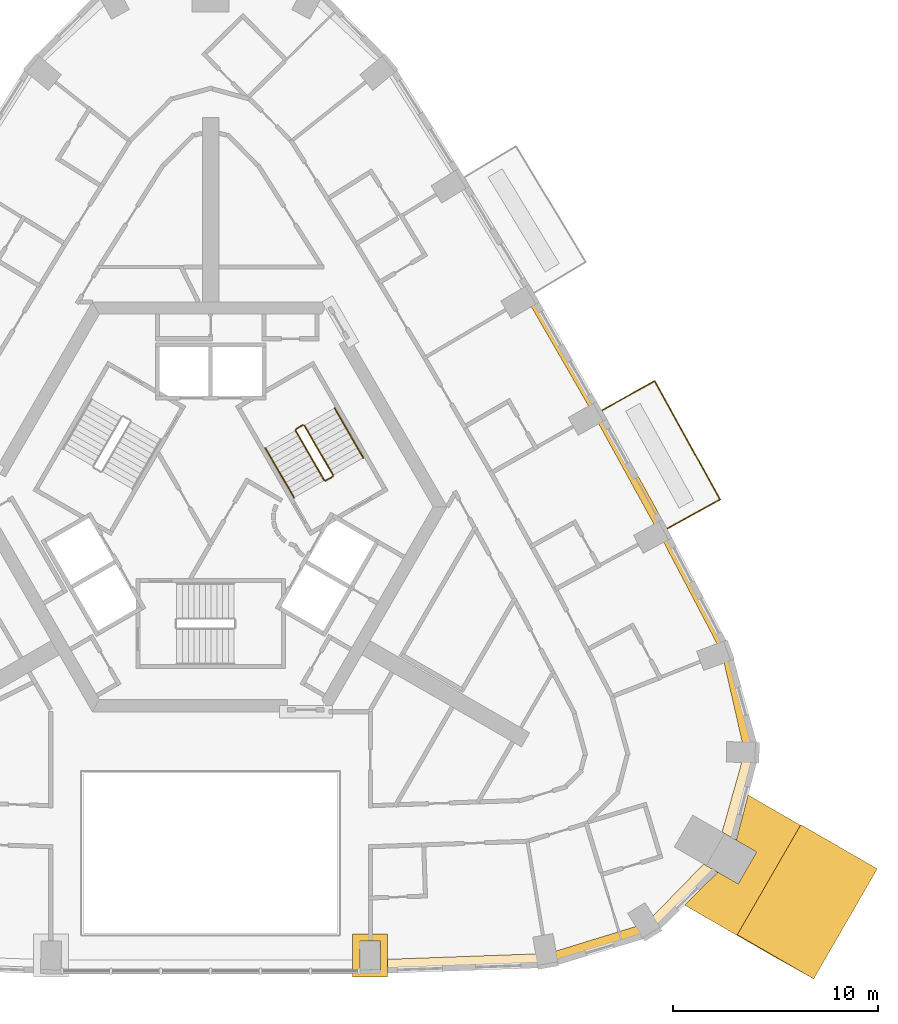
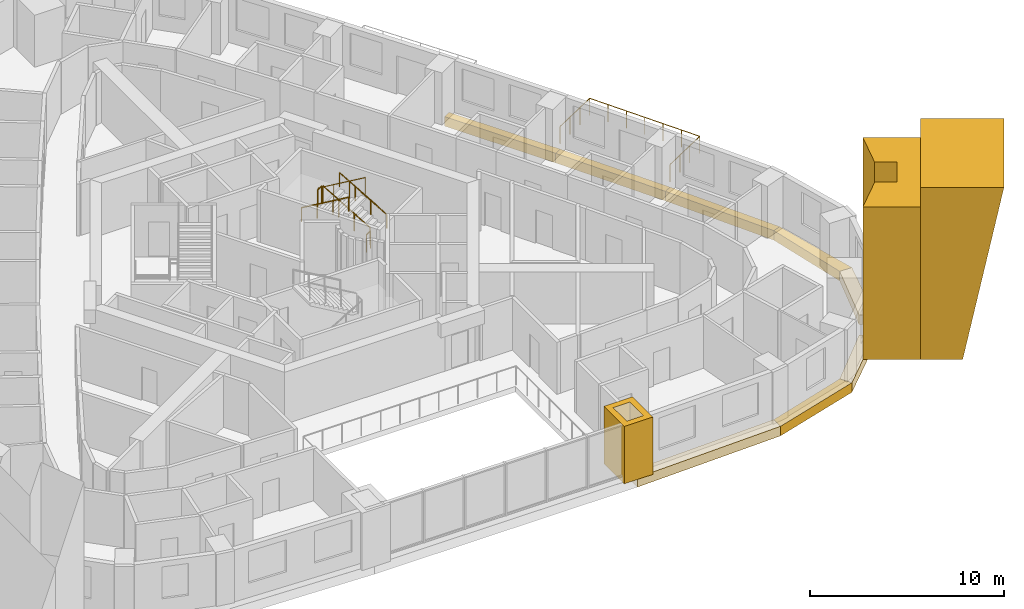
# One storey, part 13 of 14: 11 coverings, 7 railings.
"""IFC4 building model written with IfcOpenShell, lengths in metres."""

from ifc_helpers import new_model, si_unit, direction, frame, origin, origin_2d, place, context, subcontext, project, spatial, polyline, circle, outline, extrude, material, type_object, element, save


model = new_model("IFC4")

# Units and contexts
model_context = context("Model", 3, precision=1e-05, world=origin(), true_north=direction((0.0, 1.0)))
body_context = subcontext(model_context, "Body", "Model", "MODEL_VIEW")
ifc_project = project(units=[si_unit("LENGTHUNIT", "METRE"), si_unit("AREAUNIT", "SQUARE_METRE"), si_unit("VOLUMEUNIT", "CUBIC_METRE"), si_unit("PLANEANGLEUNIT", "RADIAN"), si_unit("MASSUNIT", "GRAM", prefix="KILO")], contexts=[model_context])

# Site, building, storey
site_placement = place(None, origin())
site = spatial("IfcSite", under=ifc_project, at=site_placement, CompositionType="ELEMENT")
building_placement = place(site_placement, origin())
building = spatial("IfcBuilding", under=site, at=building_placement, Name="Entoto Arch Interchange Tower", CompositionType="ELEMENT")
storey_placement = place(building_placement, frame((0.0, 0.0, 252.199951171875)))
storey = spatial("IfcBuildingStorey", under=building, at=storey_placement, Name="L57", CompositionType="ELEMENT", Elevation=252.199951171875)

# Railing
ifc_material_1 = material(Name="Stainless steel 1.4301", Category="steel")
railing_type_1 = type_object("IfcRailingType", Name="GUARD 1100 STEEL AND GLASS", PredefinedType="GUARDRAIL", material=ifc_material_1)
railing_1_placement = place(storey_placement, frame((22.280029296875, 1.427978515625, 0.0)))
element("IfcRailing", 1, at=railing_1_placement, inside=storey, type_object=railing_type_1, Name="Balcony guard NE-02 L57", PredefinedType="GUARDRAIL", context=body_context, shape_type="SweptSolid", body=[
    extrude(circle(Radius=0.02392578125, at=origin_2d()), frame((0.0, 0.0, 1.076171875), z_axis=(0.875368754809, 0.483455833665, 0.0), x_axis=(-0.483455833665, 0.875368754809, 0.0)), (0.0, 0.0, 1.0), 2.94970703125),
    extrude(circle(Radius=0.02392578125, at=origin_2d()), frame((2.58203125, 1.426025390625, 1.076171875), z_axis=(-0.483443845308, 0.87537537573, 0.0), x_axis=(-0.87537537573, -0.483443845308, 0.0)), (0.0, 0.0, 1.0), 6.60302734375),
    extrude(circle(Radius=0.02392578125, at=origin_2d()), frame((-0.610107421875, 7.2060546875, 1.076171875), z_axis=(-0.875368754809, -0.483455833665, 0.0), x_axis=(0.483455833665, -0.875368754809, 0.0)), (0.0, 0.0, 1.0), 2.94970703125),
    extrude(circle(Radius=0.02099609375, at=origin_2d()), origin(), (0.0, 0.0, 1.0), 1.052001953125),
    extrude(circle(Radius=0.02099609375, at=origin_2d()), frame((0.860595703125, 0.475341796875, 0.0)), (0.0, 0.0, 1.0), 1.052001953125),
    extrude(circle(Radius=0.02099609375, at=origin_2d()), frame((1.721435546875, 0.95068359375, 0.0)), (0.0, 0.0, 1.0), 1.052001953125),
    extrude(circle(Radius=0.02099609375, at=origin_2d()), frame((2.58203125, 1.426025390625, 0.0)), (0.0, 0.0, 1.0), 1.052001953125),
    extrude(circle(Radius=0.02099609375, at=origin_2d()), frame((2.050048828125, 2.389404296875, 0.0)), (0.0, 0.0, 1.0), 1.052001953125),
    extrude(circle(Radius=0.02099609375, at=origin_2d()), frame((1.51806640625, 3.352783203125, 0.0)), (0.0, 0.0, 1.0), 1.052001953125),
    extrude(circle(Radius=0.02099609375, at=origin_2d()), frame((0.98583984375, 4.31591796875, 0.0)), (0.0, 0.0, 1.0), 1.052001953125),
    extrude(circle(Radius=0.02099609375, at=origin_2d()), frame((0.453857421875, 5.279296875, 0.0)), (0.0, 0.0, 1.0), 1.052001953125),
    extrude(circle(Radius=0.02099609375, at=origin_2d()), frame((-0.078125, 6.24267578125, 0.0)), (0.0, 0.0, 1.0), 1.052001953125),
    extrude(circle(Radius=0.02099609375, at=origin_2d()), frame((-0.610107421875, 7.2060546875, 0.0)), (0.0, 0.0, 1.0), 1.052001953125),
    extrude(circle(Radius=0.02099609375, at=origin_2d()), frame((-1.470703125, 6.730712890625, 0.0)), (0.0, 0.0, 1.0), 1.052001953125),
    extrude(circle(Radius=0.02099609375, at=origin_2d()), frame((-2.33154296875, 6.25537109375, 0.0)), (0.0, 0.0, 1.0), 1.052001953125),
    extrude(circle(Radius=0.02099609375, at=origin_2d()), frame((-3.192138671875, 5.780029296875, 0.0)), (0.0, 0.0, 1.0), 1.052001953125),
])

# Coverings
ifc_material_2 = material(Name="Board-marked precast concrete C50/60", Category="concrete")
covering_type_1 = type_object("IfcCoveringType", Name="PRECAST FRAME COURSE", PredefinedType="CLADDING", material=ifc_material_2)
covering_1_placement = place(storey_placement, frame((0.0, 0.0, -0.33984375)))
element("IfcCovering", 2, at=covering_1_placement, inside=storey, type_object=covering_type_1, Name="Corner pilaster SE L57-L59", PredefinedType="CLADDING", context=body_context, shape_type="SweptSolid", body=[
    extrude(outline(polyline([(28.783935546875, -13.0390625), (25.68408203125, -18.408935546875), (23.1298828125, -16.93408203125), (24.751953125, -15.330078125), (25.743896484375, -15.903076171875), (26.64404296875, -14.344970703125), (25.65087890625, -13.77099609375), (26.22998046875, -11.56494140625), (28.783935546875, -13.0390625)])), origin(), (0.0, 0.0, 1.0), 9.599853515625),
])
covering_2_placement = place(storey_placement, frame((25.68408203125, -18.408935546875, -0.33984375), z_axis=(-0.49989948163, -0.8660782055, 0.003008358823), x_axis=(0.866082123688, -0.499901745373, -6.24358e-07)))
element("IfcCovering", 3, at=covering_2_placement, inside=storey, type_object=covering_type_1, Name="Corner rib SE L57-L59", PredefinedType="CLADDING", context=body_context, shape_type="SweptSolid", body=[
    extrude(outline(polyline([(0.0, 0.0), (2.1778676981450134, 8.673617379884035e-19), (4.30516388205782, 10.799856246128094), (-0.00017604492814225428, 10.799852198268349), (0.0, 0.0)])), origin(), (0.0, 0.0, -1.0), 6.199951171875),
])
covering_3_placement = place(storey_placement, frame((0.0, 0.0, -0.33984375)))
element("IfcCovering", 4, at=covering_3_placement, inside=storey, type_object=covering_type_1, Name="Gate pier L57", PredefinedType="CLADDING", context=body_context, shape_type="SweptSolid", body=[
    extrude(outline(polyline([(6.93408203125, -18.339111328125), (8.634033203125, -18.339111328125), (8.634033203125, -20.43896484375), (6.93408203125, -20.43896484375), (6.93408203125, -18.339111328125)]), holes=[polyline([(7.283935546875, -18.68896484375), (7.283935546875, -20.089111328125), (8.283935546875, -20.089111328125), (8.283935546875, -18.68896484375), (7.283935546875, -18.68896484375)])]), origin(), (0.0, 0.0, 1.0), 3.599853515625),
])
covering_type_2 = type_object("IfcCoveringType", Name="PRECAST LEDGE COURSE", PredefinedType="CLADDING", material=ifc_material_2)
covering_4_placement = place(storey_placement, frame((0.0, 0.0, -0.93994140625)))
element("IfcCovering", 5, at=covering_4_placement, inside=storey, type_object=covering_type_2, Name="Precast course S-03 L57", PredefinedType="CLADDING", context=body_context, shape_type="SweptSolid", body=[
    extrude(outline(polyline([(16.47998046875, -19.291015625), (16.47998046875, -19.986083984375), (7.800048828125, -20.2890625), (7.800048828125, -19.60791015625), (16.47998046875, -19.291015625)])), origin(), (0.0, 0.0, 1.0), 0.60009765625),
])
covering_5_placement = place(storey_placement, frame((0.0, 0.0, -0.93994140625)))
element("IfcCovering", 6, at=covering_5_placement, inside=storey, type_object=covering_type_2, Name="Precast course SE-01 L57", PredefinedType="CLADDING", context=body_context, shape_type="SweptSolid", body=[
    extrude(outline(polyline([(21.23388671875, -17.824951171875), (21.60888671875, -18.43798828125), (16.47998046875, -19.986083984375), (16.47998046875, -19.291015625), (21.23388671875, -17.824951171875)])), origin(), (0.0, 0.0, 1.0), 0.60009765625),
])
covering_6_placement = place(storey_placement, frame((0.0, 0.0, -0.93994140625)))
element("IfcCovering", 7, at=covering_6_placement, inside=storey, type_object=covering_type_2, Name="Precast course SE-02 L57", PredefinedType="CLADDING", context=body_context, shape_type="SweptSolid", body=[
    extrude(outline(polyline([(24.05810546875, -14.929931640625), (24.751953125, -15.330078125), (21.60888671875, -18.43798828125), (21.23388671875, -17.824951171875), (24.05810546875, -14.929931640625)])), origin(), (0.0, 0.0, 1.0), 0.60009765625),
])
covering_7_placement = place(storey_placement, frame((0.0, 0.0, -0.93994140625)))
element("IfcCovering", 8, at=covering_7_placement, inside=storey, type_object=covering_type_2, Name="Precast course SE-03 L57", PredefinedType="CLADDING", context=body_context, shape_type="SweptSolid", body=[
    extrude(outline(polyline([(26.053955078125, -9.47607421875), (26.77197265625, -9.493896484375), (25.652099609375, -13.77099609375), (24.9580078125, -13.37109375), (26.053955078125, -9.47607421875)])), origin(), (0.0, 0.0, 1.0), 0.60009765625),
])
covering_8_placement = place(storey_placement, frame((0.0, 0.0, -0.93994140625)))
element("IfcCovering", 9, at=covering_8_placement, inside=storey, type_object=covering_type_2, Name="Precast course SE-04 L57", PredefinedType="CLADDING", context=body_context, shape_type="SweptSolid", body=[
    extrude(outline(polyline([(24.946044921875, -4.626953125), (25.388916015625, -4.462890625), (26.77197265625, -9.493896484375), (26.053955078125, -9.47607421875), (24.946044921875, -4.626953125)])), origin(), (0.0, 0.0, 1.0), 0.60009765625),
])
covering_9_placement = place(storey_placement, frame((0.0, 0.0, -0.93994140625)))
element("IfcCovering", 10, at=covering_9_placement, inside=storey, type_object=covering_type_2, Name="Precast course NE-01 L57", PredefinedType="CLADDING", context=body_context, shape_type="SweptSolid", body=[
    extrude(outline(polyline([(21.8779296875, 1.2109375), (22.280029296875, 1.427978515625), (25.388916015625, -4.462890625), (24.946044921875, -4.626953125), (21.8779296875, 1.2109375)])), origin(), (0.0, 0.0, 1.0), 0.60009765625),
])
covering_10_placement = place(storey_placement, frame((0.0, 0.0, -0.93994140625)))
element("IfcCovering", 11, at=covering_10_placement, inside=storey, type_object=covering_type_2, Name="Precast course NE-02 L57", PredefinedType="CLADDING", context=body_context, shape_type="SweptSolid", body=[
    extrude(outline(polyline([(18.695068359375, 6.986083984375), (19.087890625, 7.2080078125), (22.280029296875, 1.427978515625), (21.8779296875, 1.2109375), (18.695068359375, 6.986083984375)])), origin(), (0.0, 0.0, 1.0), 0.60009765625),
])
covering_11_placement = place(storey_placement, frame((0.0, 0.0, -0.93994140625)))
element("IfcCovering", 12, at=covering_11_placement, inside=storey, type_object=covering_type_2, Name="Precast course NE-03 L57", PredefinedType="CLADDING", context=body_context, shape_type="SweptSolid", body=[
    extrude(outline(polyline([(15.39794921875, 12.697021484375), (15.785888671875, 12.926025390625), (19.087890625, 7.2080078125), (18.695068359375, 6.986083984375), (15.39794921875, 12.697021484375)])), origin(), (0.0, 0.0, 1.0), 0.60009765625),
])

# Railings
railing_type_2 = type_object("IfcRailingType", Name="STAIR GUARD 1100 STEEL", PredefinedType="GUARDRAIL", material=ifc_material_1)
railing_2_placement = place(storey_placement, frame((5.977783203125, 4.046142578125, 0.16357421875)))
element("IfcRailing", 13, at=railing_2_placement, inside=storey, type_object=railing_type_2, Name="L57 ST-NE stair guard 1", PredefinedType="GUARDRAIL", context=body_context, shape_type="SweptSolid", body=[
    extrude(circle(Radius=0.02392578125, at=origin_2d()), frame((0.0, 0.0, 1.076171875), z_axis=(-0.431660630283, 0.747689811644, 0.504607813879), x_axis=(-0.866034573852, -0.49998411664, 0.0)), (0.0, 0.0, 1.0), 3.2431640625),
    extrude(circle(Radius=0.02099609375, at=origin_2d()), origin(), (0.0, 0.0, 1.0), 1.052001953125),
    extrude(circle(Radius=0.02099609375, at=origin_2d()), frame((-0.466552734375, 0.808349609375, 0.54541015625)), (0.0, 0.0, 1.0), 1.052001953125),
    extrude(circle(Radius=0.02099609375, at=origin_2d()), frame((-0.933349609375, 1.616455078125, 1.091064453125)), (0.0, 0.0, 1.0), 1.052001953125),
    extrude(circle(Radius=0.02099609375, at=origin_2d()), frame((-1.39990234375, 2.4248046875, 1.636474609375)), (0.0, 0.0, 1.0), 1.052001953125),
])
railing_3_placement = place(storey_placement, frame((4.509521484375, 6.4892578125, 1.800048828125)))
element("IfcRailing", 14, at=railing_3_placement, inside=storey, type_object=railing_type_2, Name="L57 ST-NE stair guard 2", PredefinedType="GUARDRAIL", context=body_context, shape_type="SweptSolid", body=[
    extrude(circle(Radius=0.02392578125, at=origin_2d()), frame((0.0, 0.0, 1.076171875), z_axis=(-0.866094119867, -0.499880961361, 0.0), x_axis=(0.499880961361, -0.866094119867, 0.0)), (0.0, 0.0, 1.0), 0.39990234375),
    extrude(circle(Radius=0.02099609375, at=origin_2d()), origin(), (0.0, 0.0, 1.0), 1.052001953125),
    extrude(circle(Radius=0.02099609375, at=origin_2d()), frame((-0.346435546875, -0.199951171875, 0.0)), (0.0, 0.0, 1.0), 1.052001953125),
])
railing_4_placement = place(storey_placement, frame((4.144775390625, 6.220947265625, 1.963623046875)))
element("IfcRailing", 15, at=railing_4_placement, inside=storey, type_object=railing_type_2, Name="L57 ST-NE stair guard 3", PredefinedType="GUARDRAIL", context=body_context, shape_type="SweptSolid", body=[
    extrude(circle(Radius=0.02392578125, at=origin_2d()), frame((0.0, 0.0, 1.076171875), z_axis=(0.431721881032, -0.747665513933, 0.504591415616), x_axis=(0.865996816683, 0.500049511043, 0.0)), (0.0, 0.0, 1.0), 3.2431640625),
    extrude(circle(Radius=0.02099609375, at=origin_2d()), origin(), (0.0, 0.0, 1.0), 1.052001953125),
    extrude(circle(Radius=0.02099609375, at=origin_2d()), frame((0.466796875, -0.808349609375, 0.54541015625)), (0.0, 0.0, 1.0), 1.052001953125),
    extrude(circle(Radius=0.02099609375, at=origin_2d()), frame((0.933349609375, -1.616455078125, 1.091064453125)), (0.0, 0.0, 1.0), 1.052001953125),
    extrude(circle(Radius=0.02099609375, at=origin_2d()), frame((1.400146484375, -2.4248046875, 1.636474609375)), (0.0, 0.0, 1.0), 1.052001953125),
])
railing_5_placement = place(storey_placement, frame((5.95947265625, 3.977783203125, 0.0)))
element("IfcRailing", 16, at=railing_5_placement, inside=storey, type_object=railing_type_2, Name="L57 ST-NE stair guard 4", PredefinedType="GUARDRAIL", context=body_context, shape_type="SweptSolid", body=[
    extrude(circle(Radius=0.02392578125, at=origin_2d()), frame((0.0, 0.0, 1.076171875), z_axis=(-0.866094119867, -0.499880961361, 0.0), x_axis=(0.499880961361, -0.866094119867, 0.0)), (0.0, 0.0, 1.0), 0.39990234375),
    extrude(circle(Radius=0.02099609375, at=origin_2d()), origin(), (0.0, 0.0, 1.0), 1.052001953125),
    extrude(circle(Radius=0.02099609375, at=origin_2d()), frame((-0.346435546875, -0.199951171875, 0.0)), (0.0, 0.0, 1.0), 1.052001953125),
])
railing_type_3 = type_object("IfcRailingType", Name="STAIR HANDRAIL 900 STEEL", PredefinedType="HANDRAIL", material=ifc_material_1)
railing_6_placement = place(storey_placement, frame((7.4501953125, 4.89599609375, 0.16357421875)))
element("IfcRailing", 17, at=railing_6_placement, inside=storey, type_object=railing_type_3, Name="L57 ST-NE stair handrail 1", PredefinedType="HANDRAIL", context=body_context, shape_type="SweptSolid", body=[
    extrude(circle(Radius=0.02392578125, at=origin_2d()), frame((0.0, 0.0, 0.8759765625), z_axis=(-0.431697583215, 0.747698708645, 0.504563016616), x_axis=(-0.866018616679, -0.500011755427, 0.0)), (0.0, 0.0, 1.0), 3.243408203125),
    extrude(circle(Radius=0.02099609375, at=origin_2d()), origin(), (0.0, 0.0, 1.0), 0.851806640625),
    extrude(circle(Radius=0.02099609375, at=origin_2d()), frame((-0.466796875, 0.808349609375, 0.54541015625)), (0.0, 0.0, 1.0), 0.851806640625),
    extrude(circle(Radius=0.02099609375, at=origin_2d()), frame((-0.933349609375, 1.61669921875, 1.091064453125)), (0.0, 0.0, 1.0), 0.851806640625),
    extrude(circle(Radius=0.02099609375, at=origin_2d()), frame((-1.400146484375, 2.425048828125, 1.636474609375)), (0.0, 0.0, 1.0), 0.851806640625),
])
railing_7_placement = place(storey_placement, frame((2.672607421875, 5.370849609375, 1.963623046875)))
element("IfcRailing", 18, at=railing_7_placement, inside=storey, type_object=railing_type_3, Name="L57 ST-NE stair handrail 2", PredefinedType="HANDRAIL", context=body_context, shape_type="SweptSolid", body=[
    extrude(circle(Radius=0.02392578125, at=origin_2d()), frame((0.0, 0.0, 0.8759765625), z_axis=(0.431660630283, -0.747689811644, 0.504607813879), x_axis=(0.866034573852, 0.49998411664, 0.0)), (0.0, 0.0, 1.0), 3.2431640625),
    extrude(circle(Radius=0.02099609375, at=origin_2d()), origin(), (0.0, 0.0, 1.0), 0.851806640625),
    extrude(circle(Radius=0.02099609375, at=origin_2d()), frame((0.466552734375, -0.808349609375, 0.54541015625)), (0.0, 0.0, 1.0), 0.851806640625),
    extrude(circle(Radius=0.02099609375, at=origin_2d()), frame((0.933349609375, -1.616455078125, 1.091064453125)), (0.0, 0.0, 1.0), 0.851806640625),
    extrude(circle(Radius=0.02099609375, at=origin_2d()), frame((1.39990234375, -2.4248046875, 1.636474609375)), (0.0, 0.0, 1.0), 0.851806640625),
])

save(model, "model.ifc")
